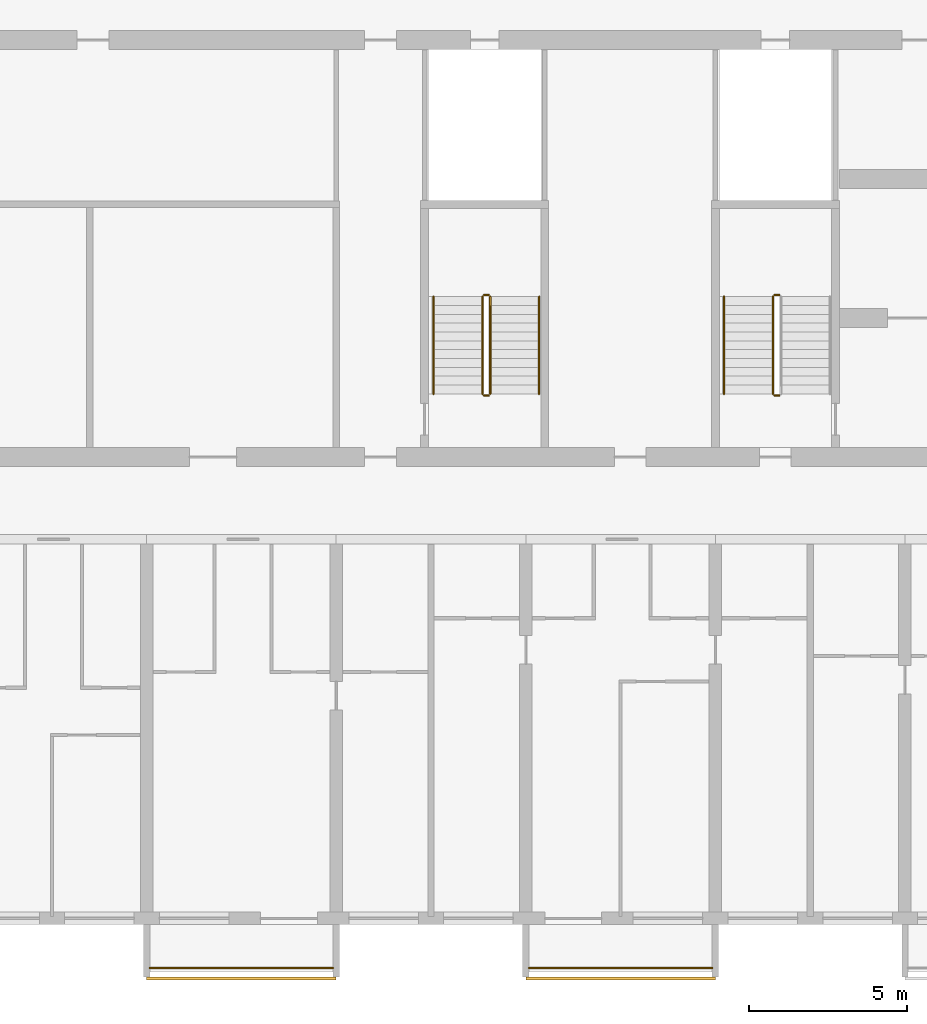
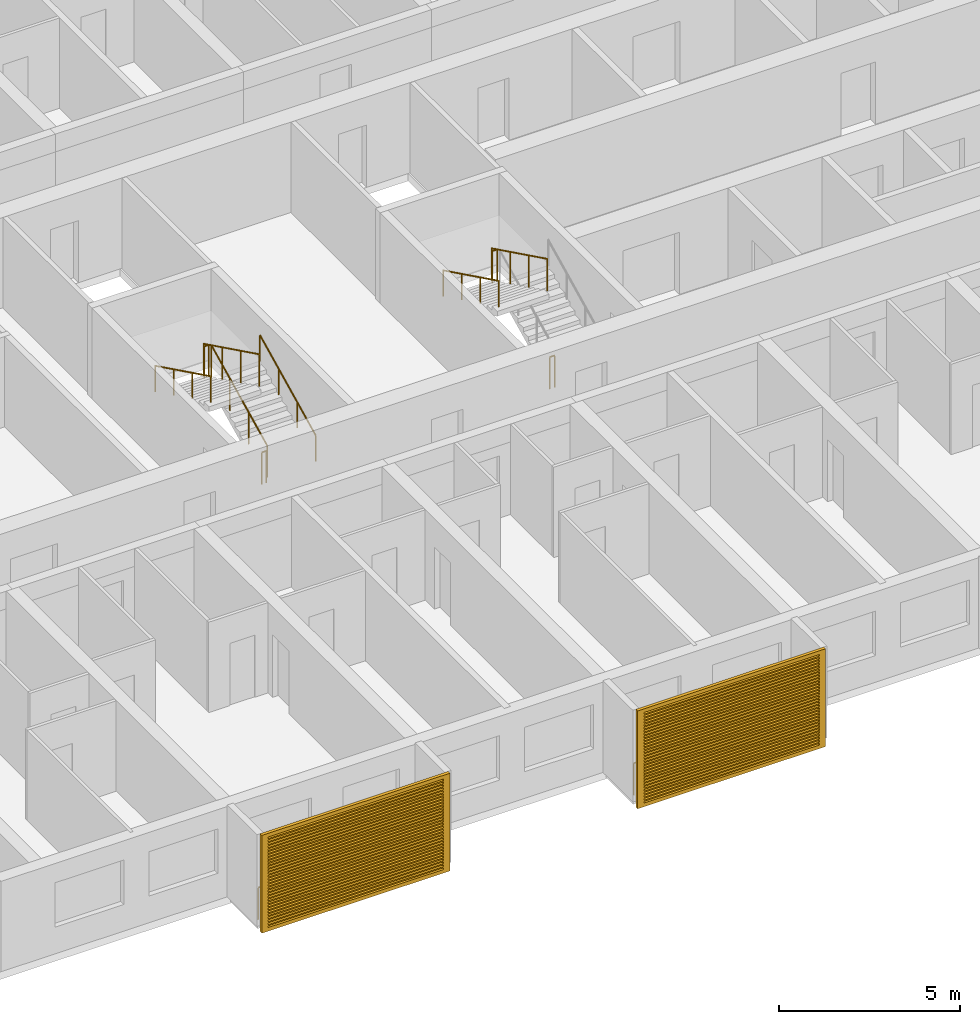
# One storey, part 19 of 38: 12 railings, 2 shading devices.
"""IFC4 building model written with IfcOpenShell, lengths in metres."""

from ifc_helpers import new_model, si_unit, direction, frame, origin, origin_2d, place, context, subcontext, project, spatial, polyline, circle, outline, extrude, source, transform, mapped, material, material_profile, profile_set, type_object, element, save


model = new_model("IFC4")

# Units and contexts
model_context = context("Model", 3, precision=1e-05, world=origin(), true_north=direction((0.0, 1.0)))
body_context = subcontext(model_context, "Body", "Model", "MODEL_VIEW")
ifc_project = project(units=[si_unit("LENGTHUNIT", "METRE"), si_unit("AREAUNIT", "SQUARE_METRE"), si_unit("VOLUMEUNIT", "CUBIC_METRE"), si_unit("PLANEANGLEUNIT", "RADIAN"), si_unit("MASSUNIT", "GRAM", prefix="KILO")], contexts=[model_context])

# Site, building, storey
site_placement = place(None, origin())
site = spatial("IfcSite", under=ifc_project, at=site_placement, CompositionType="ELEMENT")
building_placement = place(site_placement, origin())
building = spatial("IfcBuilding", under=site, at=building_placement, Name="Poui Terraces", CompositionType="ELEMENT")
storey_placement = place(building_placement, frame((0.0, 0.0, 43.199951171875)))
storey = spatial("IfcBuildingStorey", under=building, at=storey_placement, Name="L11", CompositionType="ELEMENT", Elevation=43.199951171875)

# Railings
ifc_material_1 = material(Name="Painted steel fretwork", Category="steel")
railing_type_1 = type_object("IfcRailingType", Name="BALCONY GUARD 1100", PredefinedType="GUARDRAIL", material=ifc_material_1)
for number, where, name in (
    (1, (12.10009765625, -1.570068359375, 0.0), "BALCONY GUARD"),
    (2, (24.10009765625, -1.570068359375, 0.0), "BALCONY GUARD"),
):
    element("IfcRailing", number, at=place(storey_placement, frame(where)), inside=storey, type_object=railing_type_1, Name=name, PredefinedType="GUARDRAIL", context=body_context, shape_type="SweptSolid", body=[
        extrude(circle(Radius=0.02392578125, at=origin_2d()), frame((0.0, 0.0, 1.076171875), z_axis=(1.0, 0.0, 0.0), x_axis=(0.0, 1.0, 0.0)), (0.0, 0.0, 1.0), 5.7998046875),
        extrude(circle(Radius=0.02099609375, at=origin_2d()), origin(), (0.0, 0.0, 1.0), 1.052001953125),
        extrude(circle(Radius=0.02099609375, at=origin_2d()), frame((0.966552734375, 0.0, 0.0)), (0.0, 0.0, 1.0), 1.052001953125),
        extrude(circle(Radius=0.02099609375, at=origin_2d()), frame((1.933349609375, 0.0, 0.0)), (0.0, 0.0, 1.0), 1.052001953125),
        extrude(circle(Radius=0.02099609375, at=origin_2d()), frame((2.89990234375, 0.0, 0.0)), (0.0, 0.0, 1.0), 1.052001953125),
        extrude(circle(Radius=0.02099609375, at=origin_2d()), frame((3.866455078125, 0.0, 0.0)), (0.0, 0.0, 1.0), 1.052001953125),
        extrude(circle(Radius=0.02099609375, at=origin_2d()), frame((4.833251953125, 0.0, 0.0)), (0.0, 0.0, 1.0), 1.052001953125),
        extrude(circle(Radius=0.02099609375, at=origin_2d()), frame((5.7998046875, 0.0, 0.0)), (0.0, 0.0, 1.0), 1.052001953125),
    ])
ifc_material_2 = material(Name="Galvanised steel balustrade", Category="steel")
railing_type_2 = type_object("IfcRailingType", Name="STAIR GUARD 1100", PredefinedType="GUARDRAIL", material=ifc_material_2)
railing_1_placement = place(storey_placement, frame((32.02490234375, 19.72998046875, 1.650146484375)))
element("IfcRailing", 3, at=railing_1_placement, inside=storey, type_object=railing_type_2, Name="L11 ST-CW stair guard 2", PredefinedType="GUARDRAIL", context=body_context, shape_type="SweptSolid", body=[
    extrude(circle(Radius=0.02392578125, at=origin_2d()), frame((0.0, 0.0, 1.076171875), z_axis=(-1.0, 0.0, 0.0), x_axis=(0.0, -1.0, 0.0)), (0.0, 0.0, 1.0), 0.14990234375),
    extrude(circle(Radius=0.02099609375, at=origin_2d()), origin(), (0.0, 0.0, 1.0), 1.052001953125),
    extrude(circle(Radius=0.02099609375, at=origin_2d()), frame((-0.14990234375, 0.0, 0.0)), (0.0, 0.0, 1.0), 1.052001953125),
])
railing_2_placement = place(storey_placement, frame((31.824951171875, 19.679931640625, 1.78759765625)))
element("IfcRailing", 4, at=railing_2_placement, inside=storey, type_object=railing_type_2, Name="L11 ST-CW stair guard 3", PredefinedType="GUARDRAIL", context=body_context, shape_type="SweptSolid", body=[
    extrude(circle(Radius=0.02392578125, at=origin_2d()), frame((0.0, 0.0, 1.076171875), z_axis=(0.0, -0.897606190399, 0.440798283751), x_axis=(1.0, 0.0, 0.0)), (0.0, 0.0, 1.0), 3.43115234375),
    extrude(circle(Radius=0.02099609375, at=origin_2d()), origin(), (0.0, 0.0, 1.0), 1.052001953125),
    extrude(circle(Radius=0.02099609375, at=origin_2d()), frame((0.0, -1.026611328125, 0.504150390625)), (0.0, 0.0, 1.0), 1.052001953125),
    extrude(circle(Radius=0.02099609375, at=origin_2d()), frame((0.0, -2.05322265625, 1.00830078125)), (0.0, 0.0, 1.0), 1.052001953125),
    extrude(circle(Radius=0.02099609375, at=origin_2d()), frame((0.0, -3.079833984375, 1.512451171875)), (0.0, 0.0, 1.0), 1.052001953125),
])
railing_3_placement = place(storey_placement, frame((32.02490234375, 16.550048828125, 0.0)))
element("IfcRailing", 5, at=railing_3_placement, inside=storey, type_object=railing_type_2, Name="L11 ST-CW stair guard 4", PredefinedType="GUARDRAIL", context=body_context, shape_type="SweptSolid", body=[
    extrude(circle(Radius=0.02392578125, at=origin_2d()), frame((0.0, 0.0, 1.076171875), z_axis=(-1.0, 0.0, 0.0), x_axis=(0.0, -1.0, 0.0)), (0.0, 0.0, 1.0), 0.14990234375),
    extrude(circle(Radius=0.02099609375, at=origin_2d()), origin(), (0.0, 0.0, 1.0), 1.052001953125),
    extrude(circle(Radius=0.02099609375, at=origin_2d()), frame((-0.14990234375, 0.0, 0.0)), (0.0, 0.0, 1.0), 1.052001953125),
])
railing_4_placement = place(storey_placement, frame((22.875, 16.60009765625, 0.137451171875)))
element("IfcRailing", 6, at=railing_4_placement, inside=storey, type_object=railing_type_2, Name="L11 ST-W stair guard 1", PredefinedType="GUARDRAIL", context=body_context, shape_type="SweptSolid", body=[
    extrude(circle(Radius=0.02392578125, at=origin_2d()), frame((0.0, 0.0, 1.076171875), z_axis=(0.0, 0.897578036475, 0.440855609512), x_axis=(-1.0, 0.0, 0.0)), (0.0, 0.0, 1.0), 3.43115234375),
    extrude(circle(Radius=0.02099609375, at=origin_2d()), origin(), (0.0, 0.0, 1.0), 1.052001953125),
    extrude(circle(Radius=0.02099609375, at=origin_2d()), frame((0.0, 1.026611328125, 0.504150390625)), (0.0, 0.0, 1.0), 1.052001953125),
    extrude(circle(Radius=0.02099609375, at=origin_2d()), frame((0.0, 2.05322265625, 1.008544921875)), (0.0, 0.0, 1.0), 1.052001953125),
    extrude(circle(Radius=0.02099609375, at=origin_2d()), frame((0.0, 3.079833984375, 1.5126953125)), (0.0, 0.0, 1.0), 1.052001953125),
])
railing_5_placement = place(storey_placement, frame((22.824951171875, 19.72998046875, 1.650146484375)))
element("IfcRailing", 7, at=railing_5_placement, inside=storey, type_object=railing_type_2, Name="L11 ST-W stair guard 2", PredefinedType="GUARDRAIL", context=body_context, shape_type="SweptSolid", body=[
    extrude(circle(Radius=0.02392578125, at=origin_2d()), frame((0.0, 0.0, 1.076171875), z_axis=(-1.0, 0.0, 0.0), x_axis=(0.0, -1.0, 0.0)), (0.0, 0.0, 1.0), 0.14990234375),
    extrude(circle(Radius=0.02099609375, at=origin_2d()), origin(), (0.0, 0.0, 1.0), 1.052001953125),
    extrude(circle(Radius=0.02099609375, at=origin_2d()), frame((-0.14990234375, 0.0, 0.0)), (0.0, 0.0, 1.0), 1.052001953125),
])
railing_6_placement = place(storey_placement, frame((22.625, 19.679931640625, 1.78759765625)))
element("IfcRailing", 8, at=railing_6_placement, inside=storey, type_object=railing_type_2, Name="L11 ST-W stair guard 3", PredefinedType="GUARDRAIL", context=body_context, shape_type="SweptSolid", body=[
    extrude(circle(Radius=0.02392578125, at=origin_2d()), frame((0.0, 0.0, 1.076171875), z_axis=(0.0, -0.897606190399, 0.440798283751), x_axis=(1.0, 0.0, 0.0)), (0.0, 0.0, 1.0), 3.43115234375),
    extrude(circle(Radius=0.02099609375, at=origin_2d()), origin(), (0.0, 0.0, 1.0), 1.052001953125),
    extrude(circle(Radius=0.02099609375, at=origin_2d()), frame((0.0, -1.026611328125, 0.504150390625)), (0.0, 0.0, 1.0), 1.052001953125),
    extrude(circle(Radius=0.02099609375, at=origin_2d()), frame((0.0, -2.05322265625, 1.00830078125)), (0.0, 0.0, 1.0), 1.052001953125),
    extrude(circle(Radius=0.02099609375, at=origin_2d()), frame((0.0, -3.079833984375, 1.512451171875)), (0.0, 0.0, 1.0), 1.052001953125),
])
railing_7_placement = place(storey_placement, frame((22.824951171875, 16.550048828125, 0.0)))
element("IfcRailing", 9, at=railing_7_placement, inside=storey, type_object=railing_type_2, Name="L11 ST-W stair guard 4", PredefinedType="GUARDRAIL", context=body_context, shape_type="SweptSolid", body=[
    extrude(circle(Radius=0.02392578125, at=origin_2d()), frame((0.0, 0.0, 1.076171875), z_axis=(-1.0, 0.0, 0.0), x_axis=(0.0, -1.0, 0.0)), (0.0, 0.0, 1.0), 0.14990234375),
    extrude(circle(Radius=0.02099609375, at=origin_2d()), origin(), (0.0, 0.0, 1.0), 1.052001953125),
    extrude(circle(Radius=0.02099609375, at=origin_2d()), frame((-0.14990234375, 0.0, 0.0)), (0.0, 0.0, 1.0), 1.052001953125),
])
ifc_material_3 = material(Name="Stainless steel handrail", Category="steel")
railing_type_3 = type_object("IfcRailingType", Name="STAIR HANDRAIL 900", PredefinedType="HANDRAIL", material=ifc_material_3)
railing_8_placement = place(storey_placement, frame((30.27490234375, 19.679931640625, 1.78759765625)))
element("IfcRailing", 10, at=railing_8_placement, inside=storey, type_object=railing_type_3, Name="L11 ST-CW stair handrail 2", PredefinedType="HANDRAIL", context=body_context, shape_type="SweptSolid", body=[
    extrude(circle(Radius=0.02392578125, at=origin_2d()), frame((0.0, 0.0, 0.8759765625), z_axis=(0.0, -0.897606190399, 0.440798283751), x_axis=(1.0, 0.0, 0.0)), (0.0, 0.0, 1.0), 3.43115234375),
    extrude(circle(Radius=0.02099609375, at=origin_2d()), origin(), (0.0, 0.0, 1.0), 0.851806640625),
    extrude(circle(Radius=0.02099609375, at=origin_2d()), frame((0.0, -1.026611328125, 0.504150390625)), (0.0, 0.0, 1.0), 0.851806640625),
    extrude(circle(Radius=0.02099609375, at=origin_2d()), frame((0.0, -2.05322265625, 1.00830078125)), (0.0, 0.0, 1.0), 0.851806640625),
    extrude(circle(Radius=0.02099609375, at=origin_2d()), frame((0.0, -3.079833984375, 1.512451171875)), (0.0, 0.0, 1.0), 0.851806640625),
])
railing_9_placement = place(storey_placement, frame((24.425048828125, 16.60009765625, 0.137451171875)))
element("IfcRailing", 11, at=railing_9_placement, inside=storey, type_object=railing_type_3, Name="L11 ST-W stair handrail 1", PredefinedType="HANDRAIL", context=body_context, shape_type="SweptSolid", body=[
    extrude(circle(Radius=0.02392578125, at=origin_2d()), frame((0.0, 0.0, 0.8759765625), z_axis=(0.0, 0.897578036475, 0.440855609512), x_axis=(-1.0, 0.0, 0.0)), (0.0, 0.0, 1.0), 3.43115234375),
    extrude(circle(Radius=0.02099609375, at=origin_2d()), origin(), (0.0, 0.0, 1.0), 0.851806640625),
    extrude(circle(Radius=0.02099609375, at=origin_2d()), frame((0.0, 1.026611328125, 0.504150390625)), (0.0, 0.0, 1.0), 0.851806640625),
    extrude(circle(Radius=0.02099609375, at=origin_2d()), frame((0.0, 2.05322265625, 1.008544921875)), (0.0, 0.0, 1.0), 0.851806640625),
    extrude(circle(Radius=0.02099609375, at=origin_2d()), frame((0.0, 3.079833984375, 1.5126953125)), (0.0, 0.0, 1.0), 0.851806640625),
])
railing_10_placement = place(storey_placement, frame((21.074951171875, 19.679931640625, 1.78759765625)))
element("IfcRailing", 12, at=railing_10_placement, inside=storey, type_object=railing_type_3, Name="L11 ST-W stair handrail 2", PredefinedType="HANDRAIL", context=body_context, shape_type="SweptSolid", body=[
    extrude(circle(Radius=0.02392578125, at=origin_2d()), frame((0.0, 0.0, 0.8759765625), z_axis=(0.0, -0.897606190399, 0.440798283751), x_axis=(1.0, 0.0, 0.0)), (0.0, 0.0, 1.0), 3.43115234375),
    extrude(circle(Radius=0.02099609375, at=origin_2d()), origin(), (0.0, 0.0, 1.0), 0.851806640625),
    extrude(circle(Radius=0.02099609375, at=origin_2d()), frame((0.0, -1.026611328125, 0.504150390625)), (0.0, 0.0, 1.0), 0.851806640625),
    extrude(circle(Radius=0.02099609375, at=origin_2d()), frame((0.0, -2.05322265625, 1.00830078125)), (0.0, 0.0, 1.0), 0.851806640625),
    extrude(circle(Radius=0.02099609375, at=origin_2d()), frame((0.0, -3.079833984375, 1.512451171875)), (0.0, 0.0, 1.0), 0.851806640625),
])

# Shading devices
ifc_material_4 = material(Name="Aluminium louvre", Category="aluminium")
ifc_material_profile = material_profile(ifc_material_4, outline(polyline([(-3.0, -1.64990234375), (3.0, -1.64990234375), (3.0, 1.64990234375), (-3.0, 1.64990234375), (-3.0, -1.64990234375)]), holes=[polyline([(-2.800048828125, -1.530029296875), (2.800048828125, -1.530029296875), (2.800048828125, -1.469970703125), (-2.800048828125, -1.469970703125), (-2.800048828125, -1.530029296875)]), polyline([(-2.800048828125, -1.429931640625), (2.800048828125, -1.429931640625), (2.800048828125, -1.3701171875), (-2.800048828125, -1.3701171875), (-2.800048828125, -1.429931640625)]), polyline([(-2.800048828125, -1.330078125), (2.800048828125, -1.330078125), (2.800048828125, -1.27001953125), (-2.800048828125, -1.27001953125), (-2.800048828125, -1.330078125)]), polyline([(-2.800048828125, -1.22998046875), (2.800048828125, -1.22998046875), (2.800048828125, -1.169921875), (-2.800048828125, -1.169921875), (-2.800048828125, -1.22998046875)]), polyline([(-2.800048828125, -1.1298828125), (2.800048828125, -1.1298828125), (2.800048828125, -1.070068359375), (-2.800048828125, -1.070068359375), (-2.800048828125, -1.1298828125)]), polyline([(-2.800048828125, -1.030029296875), (2.800048828125, -1.030029296875), (2.800048828125, -0.969970703125), (-2.800048828125, -0.969970703125), (-2.800048828125, -1.030029296875)]), polyline([(-2.800048828125, -0.929931640625), (2.800048828125, -0.929931640625), (2.800048828125, -0.8701171875), (-2.800048828125, -0.8701171875), (-2.800048828125, -0.929931640625)]), polyline([(-2.800048828125, -0.830078125), (2.800048828125, -0.830078125), (2.800048828125, -0.77001953125), (-2.800048828125, -0.77001953125), (-2.800048828125, -0.830078125)]), polyline([(-2.800048828125, -0.72998046875), (2.800048828125, -0.72998046875), (2.800048828125, -0.669921875), (-2.800048828125, -0.669921875), (-2.800048828125, -0.72998046875)]), polyline([(-2.800048828125, -0.6298828125), (2.800048828125, -0.6298828125), (2.800048828125, -0.570068359375), (-2.800048828125, -0.570068359375), (-2.800048828125, -0.6298828125)]), polyline([(-2.800048828125, -0.530029296875), (2.800048828125, -0.530029296875), (2.800048828125, -0.469970703125), (-2.800048828125, -0.469970703125), (-2.800048828125, -0.530029296875)]), polyline([(-2.800048828125, -0.429931640625), (2.800048828125, -0.429931640625), (2.800048828125, -0.3701171875), (-2.800048828125, -0.3701171875), (-2.800048828125, -0.429931640625)]), polyline([(-2.800048828125, -0.330078125), (2.800048828125, -0.330078125), (2.800048828125, -0.27001953125), (-2.800048828125, -0.27001953125), (-2.800048828125, -0.330078125)]), polyline([(-2.800048828125, -0.22998046875), (2.800048828125, -0.22998046875), (2.800048828125, -0.169921875), (-2.800048828125, -0.169921875), (-2.800048828125, -0.22998046875)]), polyline([(-2.800048828125, -0.1298828125), (2.800048828125, -0.1298828125), (2.800048828125, -0.070068359375), (-2.800048828125, -0.070068359375), (-2.800048828125, -0.1298828125)]), polyline([(-2.800048828125, -0.030029296875), (2.800048828125, -0.030029296875), (2.800048828125, 0.030029296875), (-2.800048828125, 0.030029296875), (-2.800048828125, -0.030029296875)]), polyline([(-2.800048828125, 0.070068359375), (2.800048828125, 0.070068359375), (2.800048828125, 0.1298828125), (-2.800048828125, 0.1298828125), (-2.800048828125, 0.070068359375)]), polyline([(-2.800048828125, 0.169921875), (2.800048828125, 0.169921875), (2.800048828125, 0.22998046875), (-2.800048828125, 0.22998046875), (-2.800048828125, 0.169921875)]), polyline([(-2.800048828125, 0.27001953125), (2.800048828125, 0.27001953125), (2.800048828125, 0.330078125), (-2.800048828125, 0.330078125), (-2.800048828125, 0.27001953125)]), polyline([(-2.800048828125, 0.3701171875), (2.800048828125, 0.3701171875), (2.800048828125, 0.429931640625), (-2.800048828125, 0.429931640625), (-2.800048828125, 0.3701171875)]), polyline([(-2.800048828125, 0.469970703125), (2.800048828125, 0.469970703125), (2.800048828125, 0.530029296875), (-2.800048828125, 0.530029296875), (-2.800048828125, 0.469970703125)]), polyline([(-2.800048828125, 0.570068359375), (2.800048828125, 0.570068359375), (2.800048828125, 0.6298828125), (-2.800048828125, 0.6298828125), (-2.800048828125, 0.570068359375)]), polyline([(-2.800048828125, 0.669921875), (2.800048828125, 0.669921875), (2.800048828125, 0.72998046875), (-2.800048828125, 0.72998046875), (-2.800048828125, 0.669921875)]), polyline([(-2.800048828125, 0.77001953125), (2.800048828125, 0.77001953125), (2.800048828125, 0.830078125), (-2.800048828125, 0.830078125), (-2.800048828125, 0.77001953125)]), polyline([(-2.800048828125, 0.8701171875), (2.800048828125, 0.8701171875), (2.800048828125, 0.929931640625), (-2.800048828125, 0.929931640625), (-2.800048828125, 0.8701171875)]), polyline([(-2.800048828125, 0.969970703125), (2.800048828125, 0.969970703125), (2.800048828125, 1.030029296875), (-2.800048828125, 1.030029296875), (-2.800048828125, 0.969970703125)]), polyline([(-2.800048828125, 1.070068359375), (2.800048828125, 1.070068359375), (2.800048828125, 1.1298828125), (-2.800048828125, 1.1298828125), (-2.800048828125, 1.070068359375)]), polyline([(-2.800048828125, 1.169921875), (2.800048828125, 1.169921875), (2.800048828125, 1.22998046875), (-2.800048828125, 1.22998046875), (-2.800048828125, 1.169921875)]), polyline([(-2.800048828125, 1.27001953125), (2.800048828125, 1.27001953125), (2.800048828125, 1.330078125), (-2.800048828125, 1.330078125), (-2.800048828125, 1.27001953125)]), polyline([(-2.800048828125, 1.3701171875), (2.800048828125, 1.3701171875), (2.800048828125, 1.429931640625), (-2.800048828125, 1.429931640625), (-2.800048828125, 1.3701171875)]), polyline([(-2.800048828125, 1.469970703125), (2.800048828125, 1.469970703125), (2.800048828125, 1.530029296875), (-2.800048828125, 1.530029296875), (-2.800048828125, 1.469970703125)])]), Name="JALOUSIE LOUVRE SHUTTER 6000X3300")
ifc_profile_set = profile_set([ifc_material_profile], Name="Aluminium louvre")
shading_device_type = type_object("IfcShadingDeviceType", Name="JALOUSIE LOUVRE SHUTTER 6000X3300", PredefinedType="JALOUSIE", material=ifc_profile_set)
shared_shape = source(origin(), body_context, "Body", "SweptSolid", [
    extrude(outline(polyline([(-3.0, -1.64990234375), (3.0, -1.64990234375), (3.0, 1.64990234375), (-3.0, 1.64990234375), (-3.0, -1.64990234375)]), holes=[polyline([(-2.800048828125, -1.530029296875), (2.800048828125, -1.530029296875), (2.800048828125, -1.469970703125), (-2.800048828125, -1.469970703125), (-2.800048828125, -1.530029296875)]), polyline([(-2.800048828125, -1.429931640625), (2.800048828125, -1.429931640625), (2.800048828125, -1.3701171875), (-2.800048828125, -1.3701171875), (-2.800048828125, -1.429931640625)]), polyline([(-2.800048828125, -1.330078125), (2.800048828125, -1.330078125), (2.800048828125, -1.27001953125), (-2.800048828125, -1.27001953125), (-2.800048828125, -1.330078125)]), polyline([(-2.800048828125, -1.22998046875), (2.800048828125, -1.22998046875), (2.800048828125, -1.169921875), (-2.800048828125, -1.169921875), (-2.800048828125, -1.22998046875)]), polyline([(-2.800048828125, -1.1298828125), (2.800048828125, -1.1298828125), (2.800048828125, -1.070068359375), (-2.800048828125, -1.070068359375), (-2.800048828125, -1.1298828125)]), polyline([(-2.800048828125, -1.030029296875), (2.800048828125, -1.030029296875), (2.800048828125, -0.969970703125), (-2.800048828125, -0.969970703125), (-2.800048828125, -1.030029296875)]), polyline([(-2.800048828125, -0.929931640625), (2.800048828125, -0.929931640625), (2.800048828125, -0.8701171875), (-2.800048828125, -0.8701171875), (-2.800048828125, -0.929931640625)]), polyline([(-2.800048828125, -0.830078125), (2.800048828125, -0.830078125), (2.800048828125, -0.77001953125), (-2.800048828125, -0.77001953125), (-2.800048828125, -0.830078125)]), polyline([(-2.800048828125, -0.72998046875), (2.800048828125, -0.72998046875), (2.800048828125, -0.669921875), (-2.800048828125, -0.669921875), (-2.800048828125, -0.72998046875)]), polyline([(-2.800048828125, -0.6298828125), (2.800048828125, -0.6298828125), (2.800048828125, -0.570068359375), (-2.800048828125, -0.570068359375), (-2.800048828125, -0.6298828125)]), polyline([(-2.800048828125, -0.530029296875), (2.800048828125, -0.530029296875), (2.800048828125, -0.469970703125), (-2.800048828125, -0.469970703125), (-2.800048828125, -0.530029296875)]), polyline([(-2.800048828125, -0.429931640625), (2.800048828125, -0.429931640625), (2.800048828125, -0.3701171875), (-2.800048828125, -0.3701171875), (-2.800048828125, -0.429931640625)]), polyline([(-2.800048828125, -0.330078125), (2.800048828125, -0.330078125), (2.800048828125, -0.27001953125), (-2.800048828125, -0.27001953125), (-2.800048828125, -0.330078125)]), polyline([(-2.800048828125, -0.22998046875), (2.800048828125, -0.22998046875), (2.800048828125, -0.169921875), (-2.800048828125, -0.169921875), (-2.800048828125, -0.22998046875)]), polyline([(-2.800048828125, -0.1298828125), (2.800048828125, -0.1298828125), (2.800048828125, -0.070068359375), (-2.800048828125, -0.070068359375), (-2.800048828125, -0.1298828125)]), polyline([(-2.800048828125, -0.030029296875), (2.800048828125, -0.030029296875), (2.800048828125, 0.030029296875), (-2.800048828125, 0.030029296875), (-2.800048828125, -0.030029296875)]), polyline([(-2.800048828125, 0.070068359375), (2.800048828125, 0.070068359375), (2.800048828125, 0.1298828125), (-2.800048828125, 0.1298828125), (-2.800048828125, 0.070068359375)]), polyline([(-2.800048828125, 0.169921875), (2.800048828125, 0.169921875), (2.800048828125, 0.22998046875), (-2.800048828125, 0.22998046875), (-2.800048828125, 0.169921875)]), polyline([(-2.800048828125, 0.27001953125), (2.800048828125, 0.27001953125), (2.800048828125, 0.330078125), (-2.800048828125, 0.330078125), (-2.800048828125, 0.27001953125)]), polyline([(-2.800048828125, 0.3701171875), (2.800048828125, 0.3701171875), (2.800048828125, 0.429931640625), (-2.800048828125, 0.429931640625), (-2.800048828125, 0.3701171875)]), polyline([(-2.800048828125, 0.469970703125), (2.800048828125, 0.469970703125), (2.800048828125, 0.530029296875), (-2.800048828125, 0.530029296875), (-2.800048828125, 0.469970703125)]), polyline([(-2.800048828125, 0.570068359375), (2.800048828125, 0.570068359375), (2.800048828125, 0.6298828125), (-2.800048828125, 0.6298828125), (-2.800048828125, 0.570068359375)]), polyline([(-2.800048828125, 0.669921875), (2.800048828125, 0.669921875), (2.800048828125, 0.72998046875), (-2.800048828125, 0.72998046875), (-2.800048828125, 0.669921875)]), polyline([(-2.800048828125, 0.77001953125), (2.800048828125, 0.77001953125), (2.800048828125, 0.830078125), (-2.800048828125, 0.830078125), (-2.800048828125, 0.77001953125)]), polyline([(-2.800048828125, 0.8701171875), (2.800048828125, 0.8701171875), (2.800048828125, 0.929931640625), (-2.800048828125, 0.929931640625), (-2.800048828125, 0.8701171875)]), polyline([(-2.800048828125, 0.969970703125), (2.800048828125, 0.969970703125), (2.800048828125, 1.030029296875), (-2.800048828125, 1.030029296875), (-2.800048828125, 0.969970703125)]), polyline([(-2.800048828125, 1.070068359375), (2.800048828125, 1.070068359375), (2.800048828125, 1.1298828125), (-2.800048828125, 1.1298828125), (-2.800048828125, 1.070068359375)]), polyline([(-2.800048828125, 1.169921875), (2.800048828125, 1.169921875), (2.800048828125, 1.22998046875), (-2.800048828125, 1.22998046875), (-2.800048828125, 1.169921875)]), polyline([(-2.800048828125, 1.27001953125), (2.800048828125, 1.27001953125), (2.800048828125, 1.330078125), (-2.800048828125, 1.330078125), (-2.800048828125, 1.27001953125)]), polyline([(-2.800048828125, 1.3701171875), (2.800048828125, 1.3701171875), (2.800048828125, 1.429931640625), (-2.800048828125, 1.429931640625), (-2.800048828125, 1.3701171875)]), polyline([(-2.800048828125, 1.469970703125), (2.800048828125, 1.469970703125), (2.800048828125, 1.530029296875), (-2.800048828125, 1.530029296875), (-2.800048828125, 1.469970703125)])]), origin(), (0.0, 0.0, 1.0), 0.099853515625),
])
for number, where, z_axis, x_axis, name in (
    (13, (15.0, -1.85009765625, 1.449951171875), (0.0, -1.0, 0.0), (1.0, 0.0, 0.0), "JALOUSIE LOUVRE SHUTTER"),
    (14, (27.0, -1.85009765625, 1.449951171875), (0.0, -1.0, 0.0), (1.0, 0.0, 0.0), "JALOUSIE LOUVRE SHUTTER"),
):
    element("IfcShadingDevice", number, at=place(storey_placement, frame(where, z_axis=z_axis, x_axis=x_axis)), inside=storey, type_object=shading_device_type, Name=name, PredefinedType="JALOUSIE", context=body_context, shape_type="MappedRepresentation", body=[
        mapped(shared_shape, transform((0.0, 0.0, 0.0))),
    ])

save(model, "model.ifc")
